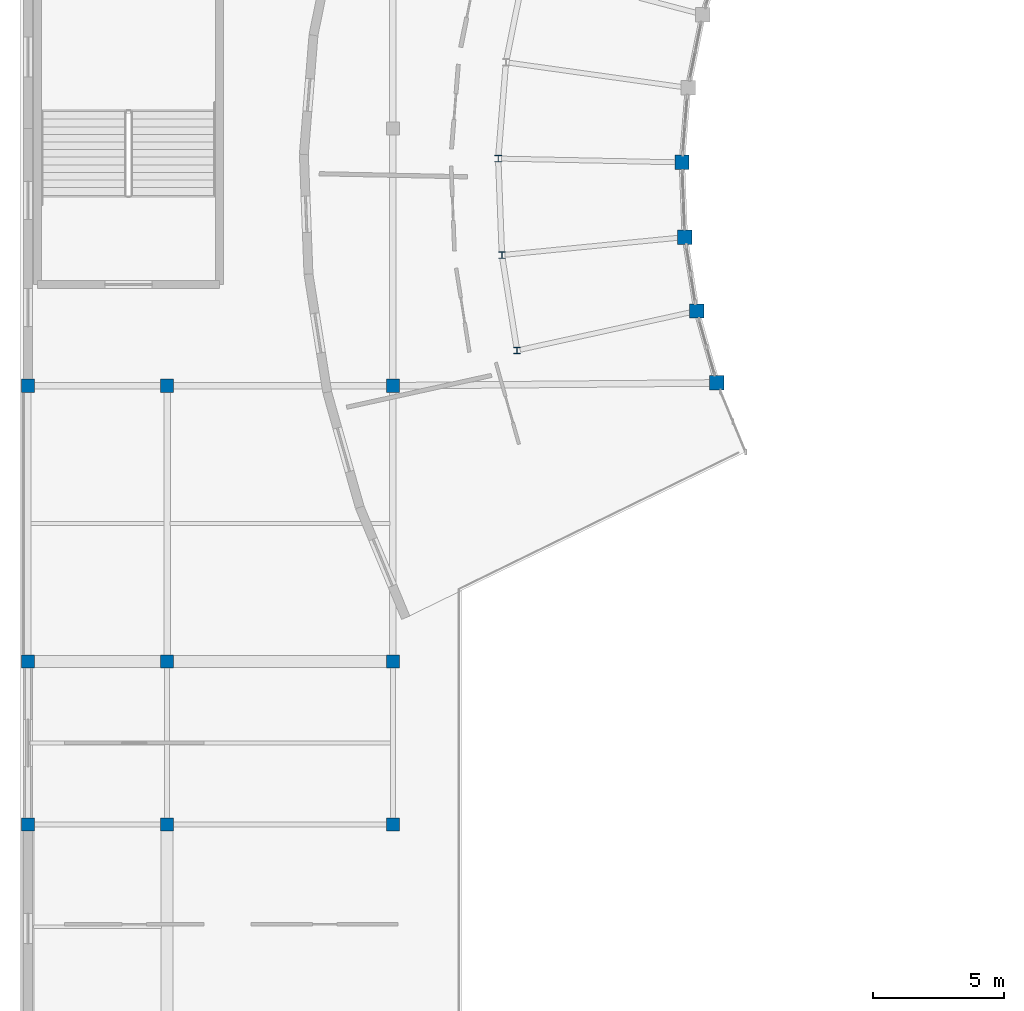
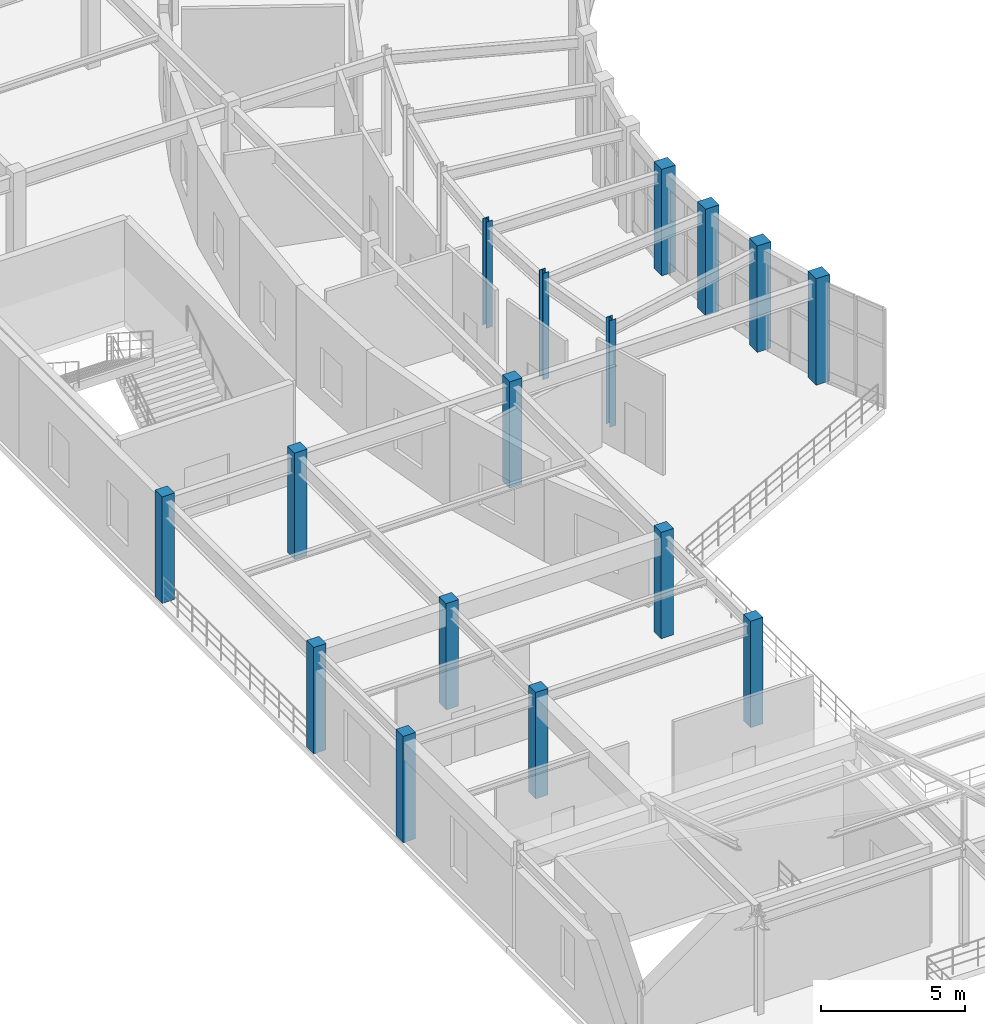
# One storey, part 5 of 112: 16 columns.
"""IFC4 building model written with IfcOpenShell, lengths in metres."""

from ifc_helpers import new_model, si_unit, direction, frame, origin, origin_2d, place, context, subcontext, project, spatial, rectangle, i_section, extrude, material, material_profile, profile_set, type_object, element, save


model = new_model("IFC4")

# Units and contexts
model_context = context("Model", 3, precision=1e-05, world=origin(), true_north=direction((0.0, 1.0)))
body_context = subcontext(model_context, "Body", "Model", "MODEL_VIEW")
ifc_project = project(units=[si_unit("LENGTHUNIT", "METRE"), si_unit("AREAUNIT", "SQUARE_METRE"), si_unit("VOLUMEUNIT", "CUBIC_METRE"), si_unit("PLANEANGLEUNIT", "RADIAN"), si_unit("MASSUNIT", "GRAM", prefix="KILO")], contexts=[model_context])

# Site, building, storey
site_placement = place(None, origin())
site = spatial("IfcSite", under=ifc_project, at=site_placement, CompositionType="ELEMENT")
building_placement = place(site_placement, origin())
building = spatial("IfcBuilding", under=site, at=building_placement, Name="Cinderbank Siding Concert Hall", CompositionType="ELEMENT")
storey_placement = place(building_placement, frame((0.0, 0.0, 10.199951171875)))
storey = spatial("IfcBuildingStorey", under=building, at=storey_placement, Name="L03", CompositionType="ELEMENT", Elevation=10.199951171875)

# Columns
ifc_material_1 = material(Name="Reinforced concrete AS 3600 N50 (50 MPa)", Category="concrete")
ifc_material_profile_1 = material_profile(ifc_material_1, rectangle(XDim=0.5, YDim=0.5, at=origin_2d()), Name="RC-COL-500x500", Category="LoadBearing")
ifc_profile_set_1 = profile_set([ifc_material_profile_1], Name="Reinforced concrete AS 3600 N50 (50 MPa)")
column_type_1 = type_object("IfcColumnType", Name="C-RC500 RC-COL-500x500", PredefinedType="COLUMN", material=ifc_profile_set_1)
for number, where, z_axis, x_axis, name in (
    (1, (7.10009765625, 43.300048828125, 0.0), (0.0, 0.0, 1.0), (1.0, 0.0, 0.0), "L03 Column COL-WL-1-1"),
    (2, (7.10009765625, 49.5, 0.0), (0.0, 0.0, 1.0), (1.0, 0.0, 0.0), "L03 Column COL-WL-1-2"),
    (3, (7.10009765625, 60.0, 0.0), (0.0, 0.0, 1.0), (1.0, 0.0, 0.0), "L03 Column COL-WL-1-3"),
    (4, (12.39990234375, 43.300048828125, 0.0), (0.0, 0.0, 1.0), (1.0, 0.0, 0.0), "L03 Column COL-WL-2-1"),
    (5, (12.39990234375, 49.5, 0.0), (0.0, 0.0, 1.0), (1.0, 0.0, 0.0), "L03 Column COL-WL-2-2"),
    (6, (12.39990234375, 60.0, 0.0), (0.0, 0.0, 1.0), (1.0, 0.0, 0.0), "L03 Column COL-WL-2-3"),
    (7, (21.0, 43.300048828125, 0.0), (0.0, 0.0, 1.0), (1.0, 0.0, 0.0), "L03 Column COL-WL-3-1"),
    (8, (21.0, 49.5, 0.0), (0.0, 0.0, 1.0), (1.0, 0.0, 0.0), "L03 Column COL-WL-3-2"),
    (9, (21.0, 60.0, 0.0), (0.0, 0.0, 1.0), (1.0, 0.0, 0.0), "L03 Column COL-WL-3-3"),
):
    element("IfcColumn", number, at=place(storey_placement, frame(where, z_axis=z_axis, x_axis=x_axis)), inside=storey, type_object=column_type_1, Name=name, PredefinedType="COLUMN", context=body_context, shape_type="SweptSolid", body=[
        extrude(rectangle(XDim=0.5, YDim=0.5, at=origin_2d()), origin(), (0.0, 0.0, 1.0), 4.5),
    ])
ifc_material_profile_2 = material_profile(ifc_material_1, rectangle(XDim=0.550048828125, YDim=0.550048828125, at=origin_2d()), Name="RC-COL-550x550", Category="LoadBearing")
ifc_profile_set_2 = profile_set([ifc_material_profile_2], Name="Reinforced concrete AS 3600 N50 (50 MPa)")
column_type_2 = type_object("IfcColumnType", Name="C-RC550 RC-COL-550x550", PredefinedType="COLUMN", material=ifc_profile_set_2)
for number, where, z_axis, x_axis, name in (
    (10, (32.0048828125, 68.5029296875, 0.0), (0.0, 0.0, 1.0), (1.0, 0.0, 0.0), "L03 Column COL-WIN-12"),
    (11, (32.114013671875, 65.657958984375, 0.0), (0.0, 0.0, 1.0), (1.0, 0.0, 0.0), "L03 Column COL-WIN-13"),
    (12, (32.56005859375, 62.845947265625, 0.0), (0.0, 0.0, 1.0), (1.0, 0.0, 0.0), "L03 Column COL-WIN-14"),
    (13, (33.3349609375, 60.10693359375, 0.0), (0.0, 0.0, 1.0), (1.0, 0.0, 0.0), "L03 Column COL-WIN-15"),
):
    element("IfcColumn", number, at=place(storey_placement, frame(where, z_axis=z_axis, x_axis=x_axis)), inside=storey, type_object=column_type_2, Name=name, PredefinedType="COLUMN", context=body_context, shape_type="SweptSolid", body=[
        extrude(rectangle(XDim=0.550048828125, YDim=0.550048828125, at=origin_2d()), origin(), (0.0, 0.0, 1.0), 4.5),
    ])
ifc_material_2 = material(Name="Structural steel AS/NZS 3679.1 Grade 350 (340 MPa)", Category="steel")
ifc_material_profile_3 = material_profile(ifc_material_2, i_section(OverallWidth=0.256103515625, OverallDepth=0.260009765625, WebThickness=0.010498046875, FlangeThickness=0.017333984375, at=origin_2d()), Name="250UC89.5", Category="LoadBearing")
ifc_profile_set_3 = profile_set([ifc_material_profile_3], Name="Structural steel AS/NZS 3679.1 Grade 350 (340 MPa)")
column_type_3 = type_object("IfcColumnType", Name="C-UC250H 250UC89.5", PredefinedType="COLUMN", material=ifc_profile_set_3)
for number, where, z_axis, x_axis, name in (
    (14, (25.007080078125, 68.64892578125, 0.0), (0.0, 0.0, 1.0), (1.0, 0.0, 0.0), "L03 Column COL-WMID-12"),
    (15, (25.14794921875, 64.97509765625, 0.0), (0.0, 0.0, 1.0), (1.0, 0.0, 0.0), "L03 Column COL-WMID-13"),
    (16, (25.722900390625, 61.343017578125, 0.0), (0.0, 0.0, 1.0), (1.0, 0.0, 0.0), "L03 Column COL-WMID-14"),
):
    element("IfcColumn", number, at=place(storey_placement, frame(where, z_axis=z_axis, x_axis=x_axis)), inside=storey, type_object=column_type_3, Name=name, PredefinedType="COLUMN", context=body_context, shape_type="SweptSolid", body=[
        extrude(i_section(OverallWidth=0.256103515625, OverallDepth=0.260009765625, WebThickness=0.010498046875, FlangeThickness=0.017333984375, at=origin_2d()), origin(), (0.0, 0.0, 1.0), 4.5),
    ])

save(model, "model.ifc")
